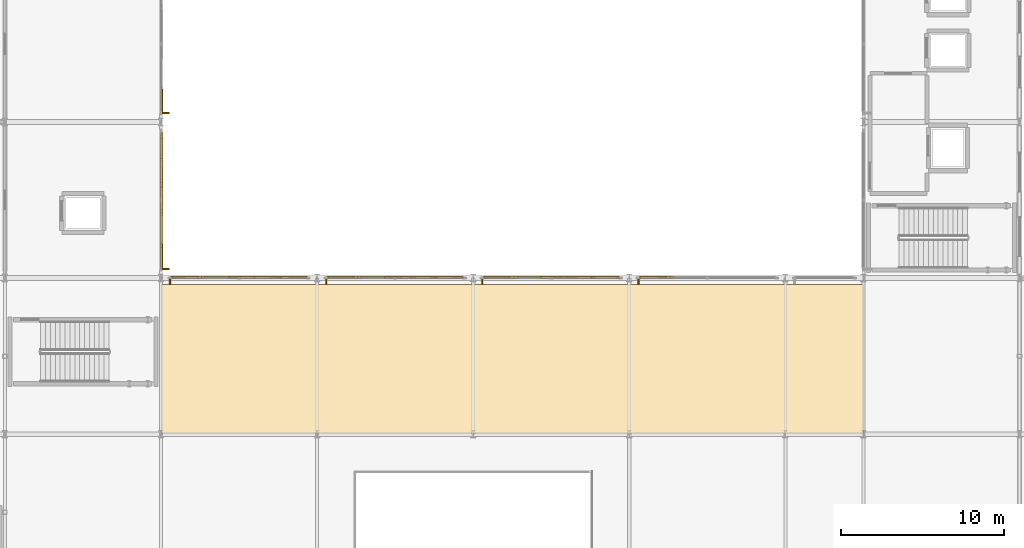
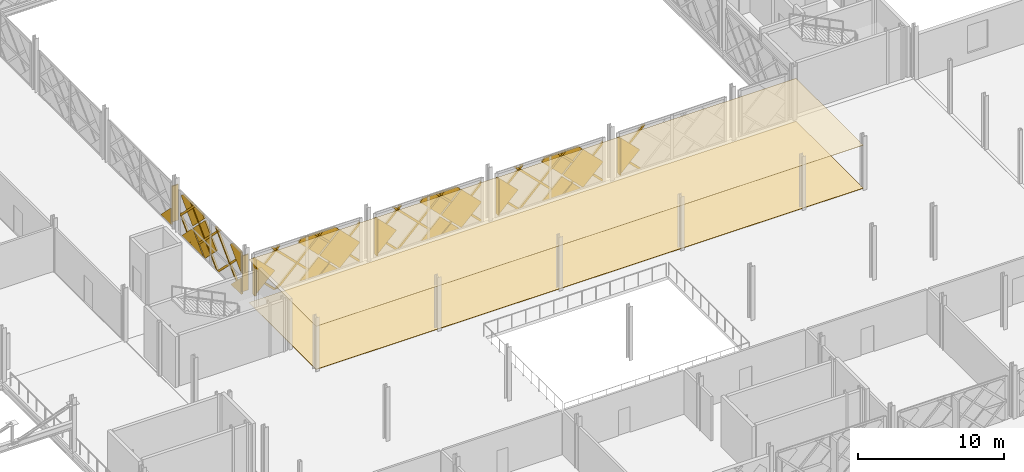
# One storey, part 83 of 101: 47 coverings, 6 shading devices.
"""IFC4 building model written with IfcOpenShell, lengths in metres."""

from ifc_helpers import new_model, si_unit, direction, frame, origin, origin_2d, place, context, subcontext, project, spatial, polyline, rectangle, outline, extrude, material, layer, layer_set, type_object, element, save


model = new_model("IFC4")

# Units and contexts
model_context = context("Model", 3, precision=1e-05, world=origin(), true_north=direction((0.0, 1.0)))
body_context = subcontext(model_context, "Body", "Model", "MODEL_VIEW")
ifc_project = project(units=[si_unit("LENGTHUNIT", "METRE"), si_unit("AREAUNIT", "SQUARE_METRE"), si_unit("VOLUMEUNIT", "CUBIC_METRE"), si_unit("PLANEANGLEUNIT", "RADIAN"), si_unit("MASSUNIT", "GRAM", prefix="KILO")], contexts=[model_context])

# Site, building, storey
site_placement = place(None, origin())
site = spatial("IfcSite", under=ifc_project, at=site_placement, CompositionType="ELEMENT")
building_placement = place(site_placement, origin())
building = spatial("IfcBuilding", under=site, at=building_placement, Name="Zevrakil Square Congress Hotel", CompositionType="ELEMENT")
storey_placement = place(building_placement, frame((0.0, 0.0, 5.39990234375)))
storey = spatial("IfcBuildingStorey", under=building, at=storey_placement, Name="L02", CompositionType="ELEMENT", Elevation=5.39990234375)

# Coverings
ifc_material_1 = material(Name="Acoustic Perforated Timber Ceiling", Category="wood")
ifc_layer_1 = layer(ifc_material_1, 0.02490234375)
ifc_layer_set_1 = layer_set([ifc_layer_1], Name="Acoustic Perforated Timber Ceiling")
covering_type_1 = type_object("IfcCoveringType", Name="COV-CEIL-ACOUSTIC-025", PredefinedType="CEILING", material=ifc_layer_set_1)
covering_1_placement = place(storey_placement, frame((0.0, 0.0, 3.590087890625)))
element("IfcCovering", 1, at=covering_1_placement, inside=storey, type_object=covering_type_1, Name="L02 acoustic perforated timber ceiling 4", PredefinedType="CEILING", context=body_context, shape_type="SweptSolid", body=[
    extrude(outline(polyline([(64.800048828125, 36.0), (108.0, 36.0), (108.0, 45.199951171875), (64.800048828125, 45.199951171875), (64.800048828125, 36.0)])), origin(), (0.0, 0.0, 1.0), 0.02490234375),
])
ifc_material_2 = material(Name="Architectural White Fibre-C GRC", Category="concrete")
ifc_layer_2 = layer(ifc_material_2, 0.06494140625)
ifc_layer_set_2 = layer_set([ifc_layer_2], Name="Architectural White Fibre-C GRC")
covering_type_2 = type_object("IfcCoveringType", Name="COV-DIA-WHITE", PredefinedType="CLADDING", material=ifc_layer_set_2)
covering_2_placement = place(storey_placement, frame((70.52001953125, 45.694091796875, 1.590087890625), z_axis=(0.0, 0.999999790873, 0.000646725815), x_axis=(-0.707106707249, 0.000457304257, -0.707106707249)))
element("IfcCovering", 2, at=covering_2_placement, inside=storey, type_object=covering_type_2, Name="L02 45-degree white GRC diamond facade cassette 1513", PredefinedType="CLADDING", context=body_context, shape_type="SweptSolid", body=[
    extrude(outline(polyline([(0.0, 0.0), (2.1354765131557993, 0.0), (4.465861884739297e-07, -2.1354765131557527), (0.0, 0.0)])), origin(), (0.0, 0.0, -1.0), 0.1201171875),
])
covering_3_placement = place(storey_placement, frame((72.199951171875, 45.693115234375, 3.27001953125), z_axis=(-2.41678e-07, 0.999999856488, 0.000535746722), x_axis=(-0.707106715571, 0.000378659283, -0.707106745415)))
element("IfcCovering", 3, at=covering_3_placement, inside=storey, type_object=covering_type_2, Name="L02 45-degree white GRC diamond facade cassette 1514", PredefinedType="CLADDING", context=body_context, shape_type="SweptSolid", body=[
    extrude(outline(polyline([(0.0, 0.0), (2.248378801899082, 2.220446049250313e-16), (2.248551760168468, -2.248551342862844), (0.013983729045442761, -2.2485514331189314), (-0.00017221654148569243, -2.2343954901628624), (0.0, 0.0)])), origin(), (0.0, 0.0, -1.0), 0.1201171875),
])
covering_4_placement = place(storey_placement, frame((65.47998046875, 45.69482421875, 0.090087890625), z_axis=(-7.1433782e-05, 0.999999852651, 0.000538140348), x_axis=(0.707106743994, -0.000330011407, 0.70710674137)))
element("IfcCovering", 4, at=covering_4_placement, inside=storey, type_object=covering_type_2, Name="L02 45-degree white GRC diamond facade cassette 1515", PredefinedType="CLADDING", context=body_context, shape_type="SweptSolid", body=[
    extrude(outline(polyline([(0.0, 0.0), (2.2487239795431924, 2.220446049250313e-16), (2.2485516641646086, -2.248551438871932), (2.16378862445315, -2.2487240842472933), (-1.5763824273706817e-10, -0.08493566992819268), (0.0, 0.0)])), origin(), (0.0, 0.0, -1.0), 0.1201171875),
])
covering_5_placement = place(storey_placement, frame((68.929931640625, 45.693115234375, 3.360107421875), z_axis=(0.0, 0.999999832181, 0.000579342815), x_axis=(0.707106746172, 0.000409657254, -0.707106697535)))
element("IfcCovering", 5, at=covering_5_placement, inside=storey, type_object=covering_type_2, Name="L02 45-degree white GRC diamond facade cassette 1516", PredefinedType="CLADDING", context=body_context, shape_type="SweptSolid", body=[
    extrude(outline(polyline([(0.0, 0.0), (2.2487239716396576, -2.220446049250313e-16), (2.2487237489345504, -2.248723971639647), (1.9022482605454791, -2.248551391947205), (0.00017254537882177567, -0.3464754884061615), (0.0, 0.0)])), origin(), (0.0, 0.0, -1.0), 0.1201171875),
])
covering_6_placement = place(storey_placement, frame((80.1201171875, 45.694091796875, 1.590087890625), z_axis=(0.0, 0.999999790873, 0.000646725815), x_axis=(-0.707106707249, 0.000457304257, -0.707106707249)))
element("IfcCovering", 6, at=covering_6_placement, inside=storey, type_object=covering_type_2, Name="L02 45-degree white GRC diamond facade cassette 1555", PredefinedType="CLADDING", context=body_context, shape_type="SweptSolid", body=[
    extrude(outline(polyline([(0.0, 0.0), (2.1354765131557993, 0.0), (0.00017308005963778683, -2.1353038796462007), (0.0, 0.0)])), origin(), (0.0, 0.0, -1.0), 0.1201171875),
])
covering_7_placement = place(storey_placement, frame((81.800048828125, 45.693115234375, 3.27001953125), z_axis=(-2.41678e-07, 0.999999856488, 0.000535746981), x_axis=(-0.70716100192, 0.000378630367, -0.707052454916)))
element("IfcCovering", 7, at=covering_7_placement, inside=storey, type_object=covering_type_2, Name="L02 45-degree white GRC diamond facade cassette 1556", PredefinedType="CLADDING", context=body_context, shape_type="SweptSolid", body=[
    extrude(outline(polyline([(0.0, 0.0), (2.2485514420015917, 0.0), (2.2483791200415766, -2.248723969767764), (0.013983742226420182, -2.248379879845779), (-0.00017111649015499886, -2.2342228501026002), (0.0, 0.0)])), origin(), (0.0, 0.0, -1.0), 0.1201171875),
])
covering_8_placement = place(storey_placement, frame((75.080078125, 45.69482421875, 0.090087890625), z_axis=(-7.1443995e-05, 0.99999985265, 0.00053814045), x_axis=(0.707052453479, -0.00033003735, 0.707161027705)))
element("IfcCovering", 8, at=covering_8_placement, inside=storey, type_object=covering_type_2, Name="L02 45-degree white GRC diamond facade cassette 1557", PredefinedType="CLADDING", context=body_context, shape_type="SweptSolid", body=[
    extrude(outline(polyline([(0.0, 0.0), (2.248551352687847, 0.0), (2.2487242910438643, -2.2483787987213666), (2.1639612648369457, -2.2485579518153447), (6.520815304625338e-06, -0.08493566967761251), (0.0, 0.0)])), origin(), (0.0, 0.0, -1.0), 0.1201171875),
])
covering_9_placement = place(storey_placement, frame((78.530029296875, 45.693115234375, 3.360107421875), z_axis=(0.0, 0.999999832177, 0.000579349913), x_axis=(0.707106746172, 0.000409662272, -0.707106697532)))
element("IfcCovering", 9, at=covering_9_placement, inside=storey, type_object=covering_type_2, Name="L02 45-degree white GRC diamond facade cassette 1558", PredefinedType="CLADDING", context=body_context, shape_type="SweptSolid", body=[
    extrude(outline(polyline([(0.0, 0.0), (2.24872397163871, -2.220446049250313e-16), (2.248551115452546, -2.2485513381386504), (1.9022482605459134, -2.2485513919469167), (-8.810449772522766e-08, -0.3463028549066256), (0.0, 0.0)])), origin(), (0.0, 0.0, -1.0), 0.1201171875),
])
covering_10_placement = place(storey_placement, frame((89.719970703125, 45.694091796875, 1.590087890625), z_axis=(0.0, 0.999999790873, 0.000646725815), x_axis=(-0.707106707249, 0.000457304257, -0.707106707249)))
element("IfcCovering", 10, at=covering_10_placement, inside=storey, type_object=covering_type_2, Name="L02 45-degree white GRC diamond facade cassette 1597", PredefinedType="CLADDING", context=body_context, shape_type="SweptSolid", body=[
    extrude(outline(polyline([(0.0, 0.0), (2.1354765131557993, 0.0), (4.465861884739297e-07, -2.1354765131557527), (0.0, 0.0)])), origin(), (0.0, 0.0, -1.0), 0.1201171875),
])
covering_11_placement = place(storey_placement, frame((91.39990234375, 45.693115234375, 3.27001953125), z_axis=(-2.41678e-07, 0.999999856488, 0.000535746722), x_axis=(-0.707106715571, 0.000378659283, -0.707106745415)))
element("IfcCovering", 11, at=covering_11_placement, inside=storey, type_object=covering_type_2, Name="L02 45-degree white GRC diamond facade cassette 1598", PredefinedType="CLADDING", context=body_context, shape_type="SweptSolid", body=[
    extrude(outline(polyline([(0.0, 0.0), (2.248378801899082, 2.220446049250313e-16), (2.248551760168468, -2.248551342862844), (0.013983729045442761, -2.2485514331189314), (-0.00017221654148569243, -2.2343954901628624), (0.0, 0.0)])), origin(), (0.0, 0.0, -1.0), 0.1201171875),
])
covering_12_placement = place(storey_placement, frame((84.679931640625, 45.69482421875, 0.090087890625), z_axis=(-7.1453825e-05, 0.999999852651, 0.000538137651), x_axis=(0.707106743993, -0.000329995328, 0.707106741378)))
element("IfcCovering", 12, at=covering_12_placement, inside=storey, type_object=covering_type_2, Name="L02 45-degree white GRC diamond facade cassette 1599", PredefinedType="CLADDING", context=body_context, shape_type="SweptSolid", body=[
    extrude(outline(polyline([(0.0, 0.0), (2.248723979543348, 2.220446049250313e-16), (2.2485516641645265, -2.2485514388720227), (2.1639612579350396, -2.2485514507480224), (0.00017263332536615605, -0.084763036428044), (0.0, 0.0)])), origin(), (0.0, 0.0, -1.0), 0.1201171875),
])
covering_13_placement = place(storey_placement, frame((88.1298828125, 45.693115234375, 3.360107421875), z_axis=(0.0, 0.999999832181, 0.000579342815), x_axis=(0.707106746172, 0.000409657254, -0.707106697535)))
element("IfcCovering", 13, at=covering_13_placement, inside=storey, type_object=covering_type_2, Name="L02 45-degree white GRC diamond facade cassette 1600", PredefinedType="CLADDING", context=body_context, shape_type="SweptSolid", body=[
    extrude(outline(polyline([(0.0, 0.0), (2.2487239716396576, -2.220446049250313e-16), (2.2487237489345504, -2.248723971639647), (1.9022482605454791, -2.248551391947205), (0.00017254537882177567, -0.3464754884061615), (0.0, 0.0)])), origin(), (0.0, 0.0, -1.0), 0.1201171875),
])
covering_14_placement = place(storey_placement, frame((94.280029296875, 45.69482421875, 0.090087890625), z_axis=(-7.1433782e-05, 0.999999852651, 0.000538140348), x_axis=(0.707106743994, -0.000330011407, 0.70710674137)))
element("IfcCovering", 14, at=covering_14_placement, inside=storey, type_object=covering_type_2, Name="L02 45-degree white GRC diamond facade cassette 1641", PredefinedType="CLADDING", context=body_context, shape_type="SweptSolid", body=[
    extrude(outline(polyline([(0.0, 0.0), (2.2487239795431924, 2.220446049250313e-16), (2.2485516641646086, -2.248551438871932), (2.16378862445315, -2.2487240842472933), (-1.5763824273706817e-10, -0.08493566992819268), (0.0, 0.0)])), origin(), (0.0, 0.0, -1.0), 0.1201171875),
])
covering_15_placement = place(storey_placement, frame((64.89501953125, 47.6298828125, 0.080078125), z_axis=(0.999999760125, 0.0, 0.000692640526), x_axis=(0.0, -1.0, 0.0)))
element("IfcCovering", 15, at=covering_15_placement, inside=storey, type_object=covering_type_2, Name="L02 45-degree white GRC diamond facade cassette 1714", PredefinedType="CLADDING", context=body_context, shape_type="SweptSolid", body=[
    extrude(outline(polyline([(0.0, 0.0), (1.409912109375, 0.0), (1.409912109375, -1.4099124475784228), (0.0, 0.0)])), origin(), (0.0, 0.0, -1.0), 0.1201171875),
])
covering_16_placement = place(storey_placement, frame((64.89404296875, 52.840087890625, 1.590087890625), z_axis=(0.999999790873, 0.0, 0.000646725815), x_axis=(0.000457304257, 0.707106707249, -0.707106707249)))
element("IfcCovering", 16, at=covering_16_placement, inside=storey, type_object=covering_type_2, Name="L02 45-degree white GRC diamond facade cassette 1715", PredefinedType="CLADDING", context=body_context, shape_type="SweptSolid", body=[
    extrude(outline(polyline([(0.0, 0.0), (2.1354765131557993, 0.0), (4.465861884739297e-07, -2.1354765131557527), (0.0, 0.0)])), origin(), (0.0, 0.0, -1.0), 0.1201171875),
])
covering_17_placement = place(storey_placement, frame((64.89306640625, 51.159912109375, 3.27001953125), z_axis=(0.999999811377, 0.0, 0.000614203339), x_axis=(0.000434274042, 0.707161000837, -0.707052424012)))
element("IfcCovering", 17, at=covering_17_placement, inside=storey, type_object=covering_type_2, Name="L02 45-degree white GRC diamond facade cassette 1716", PredefinedType="CLADDING", context=body_context, shape_type="SweptSolid", body=[
    extrude(outline(polyline([(0.0, 0.0), (2.2485514454867683, 0.0), (2.2483792228863573, -2.248724065739994), (-0.0001721960923970478, -2.248378798790573), (0.0, 0.0)])), origin(), (0.0, 0.0, -1.0), 0.1201171875),
])
covering_18_placement = place(storey_placement, frame((64.89306640625, 47.7099609375, 3.360107421875), z_axis=(0.999999808817, -6.6854444e-05, 0.000614732229), x_axis=(0.000387408133, -0.707106741694, -0.707106714553)))
element("IfcCovering", 18, at=covering_18_placement, inside=storey, type_object=covering_type_2, Name="L02 45-degree white GRC diamond facade cassette 1717", PredefinedType="CLADDING", context=body_context, shape_type="SweptSolid", body=[
    extrude(outline(polyline([(0.0, 0.0), (2.1071645228758276, -4.440892098500626e-16), (0.8873360085544126, -1.2198283755844284), (-0.00017272168265564103, -0.33231955017883935), (0.0, 0.0)])), origin(), (0.0, 0.0, -1.0), 0.1201171875),
])
covering_19_placement = place(storey_placement, frame((64.89306640625, 54.429931640625, 3.360107421875), z_axis=(0.999999828983, 0.0, 0.000584837432), x_axis=(0.000413574283, -0.707052455893, -0.70716098137)))
element("IfcCovering", 19, at=covering_19_placement, inside=storey, type_object=covering_type_2, Name="L02 45-degree white GRC diamond facade cassette 1718", PredefinedType="CLADDING", context=body_context, shape_type="SweptSolid", body=[
    extrude(outline(polyline([(0.0, 0.0), (2.248551344033201, -4.440892098500626e-16), (2.2483784760755072, -2.248723964244697), (1.915886299889369, -2.2486984931924137), (-0.000198236343884578, -0.3323195294215008), (0.0, 0.0)])), origin(), (0.0, 0.0, -1.0), 0.1201171875),
])
covering_20_placement = place(storey_placement, frame((64.89501953125, 57.22998046875, 0.080078125), z_axis=(0.999999760125, 0.0, 0.000692640526), x_axis=(0.0, -1.0, 0.0)))
element("IfcCovering", 20, at=covering_20_placement, inside=storey, type_object=covering_type_2, Name="L02 45-degree white GRC diamond facade cassette 1782", PredefinedType="CLADDING", context=body_context, shape_type="SweptSolid", body=[
    extrude(outline(polyline([(0.0, 0.0), (1.409912109375, 0.0), (1.409912109375, -1.4099124475784228), (0.0, 0.0)])), origin(), (0.0, 0.0, -1.0), 0.1201171875),
])
ifc_material_3 = material(Name="Anodised Champagne Aluminium", Category="aluminium")
ifc_layer_3 = layer(ifc_material_3, 0.0849609375)
ifc_layer_set_3 = layer_set([ifc_layer_3], Name="Anodised Champagne Aluminium")
covering_type_3 = type_object("IfcCoveringType", Name="COV-DIAGRID-45", PredefinedType="MOLDING", material=ifc_layer_set_3)
covering_21_placement = place(storey_placement, frame((73.69384765625, 45.719970703125, 0.080078125), z_axis=(-0.000187311957, 0.999999884449, 0.000442737353), x_axis=(0.999999982457, 0.000187311939, 8.293e-08)))
element("IfcCovering", 21, at=covering_21_placement, inside=storey, type_object=covering_type_3, Name="L02 45-degree aluminium diagrid rib 1517", PredefinedType="MOLDING", context=body_context, shape_type="SweptSolid", body=[
    extrude(outline(polyline([(0.0, 0.0), (0.0861816391131254, 2.2812090330563966e-24), (0.08618164958060848, -0.12622069075433734), (-3.312744201763839, -3.524902971092284), (-3.5249024011669716, -3.524902971092284), (0.0, 0.0)])), origin(), (0.0, 0.0, -1.0), 0.14501953125),
])
covering_22_placement = place(storey_placement, frame((70.333984375, 45.719970703125, 0.080078125), z_axis=(0.0, 0.999999805714, 0.000623354914), x_axis=(1.0, 0.0, 0.0)))
element("IfcCovering", 22, at=covering_22_placement, inside=storey, type_object=covering_type_3, Name="L02 45-degree aluminium diagrid rib 1518", PredefinedType="MOLDING", context=body_context, shape_type="SweptSolid", body=[
    extrude(outline(polyline([(0.0, 0.0), (0.212158203125, 0.0), (-3.31298828125, -3.5249030285882292), (-3.525146484375, -3.5249030285882292), (0.0, 0.0)])), origin(), (0.0, 0.0, -1.0), 0.14501953125),
])
covering_23_placement = place(storey_placement, frame((66.973876953125, 45.719970703125, 0.080078125), z_axis=(-0.000294139249, 0.999999913482, 0.000294139249), x_axis=(0.999999956741, 0.000294139237, 8.6518e-08)))
element("IfcCovering", 23, at=covering_23_placement, inside=storey, type_object=covering_type_3, Name="L02 45-degree aluminium diagrid rib 1519", PredefinedType="MOLDING", context=body_context, shape_type="SweptSolid", body=[
    extrude(outline(polyline([(0.0, 0.0), (0.2121581939472589, 0.0), (-1.553955145347468, -1.7661134920951609), (-1.5539551637029505, -1.5539552981479028), (0.0, 0.0)])), origin(), (0.0, 0.0, -1.0), 0.14501953125),
])
covering_24_placement = place(storey_placement, frame((73.780029296875, 45.718017578125, 3.154052734375), z_axis=(0.00030708991, 0.999999905696, 0.00030708991), x_axis=(-9.4304e-08, -0.000307089896, 0.999999952848)))
element("IfcCovering", 24, at=covering_24_placement, inside=storey, type_object=covering_type_3, Name="L02 45-degree aluminium diagrid rib 1520", PredefinedType="MOLDING", context=body_context, shape_type="SweptSolid", body=[
    extrude(outline(polyline([(0.0, 0.0), (0.2121581931212936, 0.0), (-3.0739747543193885, -3.2861332573369064), (-3.073974774326802, -3.0739750642156136), (0.0, 0.0)])), origin(), (0.0, 0.0, -1.0), 0.14501953125),
])
covering_25_placement = place(storey_placement, frame((70.87109375, 45.7177734375, 3.60498046875), z_axis=(0.0, 0.999999805714, 0.000623354914), x_axis=(-1.0, 0.0, 0.0)))
element("IfcCovering", 25, at=covering_25_placement, inside=storey, type_object=covering_type_3, Name="L02 45-degree aluminium diagrid rib 1521", PredefinedType="MOLDING", context=body_context, shape_type="SweptSolid", body=[
    extrude(outline(polyline([(0.0, 0.0), (0.212158203125, 0.0), (3.7373046875, -3.524903028588229), (3.52490234375, -3.524903028588229), (0.0, 0.0)])), origin(), (0.0, 0.0, -1.0), 0.14501953125),
])
covering_26_placement = place(storey_placement, frame((67.510986328125, 45.7177734375, 3.60498046875), z_axis=(0.000307670407, 0.999999905448, 0.000307316763), x_axis=(-0.999999952669, 0.000307670393, 9.4552e-08)))
element("IfcCovering", 26, at=covering_26_placement, inside=storey, type_object=covering_type_3, Name="L02 45-degree aluminium diagrid rib 1522", PredefinedType="MOLDING", context=body_context, shape_type="SweptSolid", body=[
    extrude(outline(polyline([(0.0, 0.0), (0.2121581930834375, 2.8078904387053947e-24), (2.0910645520962157, -1.8786623958037403), (2.0910645320130903, -2.091064729523719), (0.0, 0.0)])), origin(), (0.0, 0.0, -1.0), 0.14501953125),
])
covering_27_placement = place(storey_placement, frame((83.2939453125, 45.719970703125, 0.080078125), z_axis=(-0.000187315855, 0.999999884444, 0.000442746567), x_axis=(0.999999982456, 0.000187315837, 8.2933e-08)))
element("IfcCovering", 27, at=covering_27_placement, inside=storey, type_object=covering_type_3, Name="L02 45-degree aluminium diagrid rib 1559", PredefinedType="MOLDING", context=body_context, shape_type="SweptSolid", body=[
    extrude(outline(polyline([(0.0, 0.0), (0.08593749849234558, 2.274746684520826e-24), (0.08593750896026438, -0.12622069075382242), (-3.312744201757818, -3.5249029710981508), (-3.525146541781513, -3.5249029710981508), (0.0, 0.0)])), origin(), (0.0, 0.0, -1.0), 0.14501953125),
])
covering_28_placement = place(storey_placement, frame((79.933837890625, 45.719970703125, 0.080078125), z_axis=(0.0, 0.999999805714, 0.000623354914), x_axis=(1.0, 0.0, 0.0)))
element("IfcCovering", 28, at=covering_28_placement, inside=storey, type_object=covering_type_3, Name="L02 45-degree aluminium diagrid rib 1560", PredefinedType="MOLDING", context=body_context, shape_type="SweptSolid", body=[
    extrude(outline(polyline([(0.0, 0.0), (0.212158203125, 0.0), (-3.312744140625, -3.5249030285882292), (-3.52490234375, -3.5249030285882292), (0.0, 0.0)])), origin(), (0.0, 0.0, -1.0), 0.14501953125),
])
covering_29_placement = place(storey_placement, frame((76.573974609375, 45.719970703125, 0.080078125), z_axis=(-0.000294139249, 0.999999913482, 0.000294139249), x_axis=(0.999999956741, 0.000294139237, 8.6518e-08)))
element("IfcCovering", 29, at=covering_29_placement, inside=storey, type_object=covering_type_3, Name="L02 45-degree aluminium diagrid rib 1561", PredefinedType="MOLDING", context=body_context, shape_type="SweptSolid", body=[
    extrude(outline(polyline([(0.0, 0.0), (0.2121581939472589, 0.0), (-1.553955145347468, -1.7661134920951609), (-1.5539551637029505, -1.5539552981479028), (0.0, 0.0)])), origin(), (0.0, 0.0, -1.0), 0.14501953125),
])
covering_30_placement = place(storey_placement, frame((83.3798828125, 45.718017578125, 3.154052734375), z_axis=(0.000307101698, 0.999999905689, 0.000307101698), x_axis=(-9.4311e-08, -0.000307101684, 0.999999952844)))
element("IfcCovering", 30, at=covering_30_placement, inside=storey, type_object=covering_type_3, Name="L02 45-degree aluminium diagrid rib 1562", PredefinedType="MOLDING", context=body_context, shape_type="SweptSolid", body=[
    extrude(outline(polyline([(0.0, 0.0), (0.21215819312052556, 2.8078904387053947e-24), (-3.073974754330517, -3.285889116734547), (-3.073974774339466, -3.0737309236140224), (0.0, 0.0)])), origin(), (0.0, 0.0, -1.0), 0.14501953125),
])
covering_31_placement = place(storey_placement, frame((80.47119140625, 45.7177734375, 3.60498046875), z_axis=(0.0, 0.999999805714, 0.000623354914), x_axis=(-1.0, 0.0, 0.0)))
element("IfcCovering", 31, at=covering_31_placement, inside=storey, type_object=covering_type_3, Name="L02 45-degree aluminium diagrid rib 1563", PredefinedType="MOLDING", context=body_context, shape_type="SweptSolid", body=[
    extrude(outline(polyline([(0.0, 0.0), (0.21240234375, 0.0), (3.7373046875, -3.524903028588229), (3.525146484375, -3.524903028588229), (0.0, 0.0)])), origin(), (0.0, 0.0, -1.0), 0.14501953125),
])
covering_32_placement = place(storey_placement, frame((77.111083984375, 45.7177734375, 3.60498046875), z_axis=(0.000307670407, 0.999999905448, 0.000307316763), x_axis=(-0.999999952669, 0.000307670393, 9.4552e-08)))
element("IfcCovering", 32, at=covering_32_placement, inside=storey, type_object=covering_type_3, Name="L02 45-degree aluminium diagrid rib 1564", PredefinedType="MOLDING", context=body_context, shape_type="SweptSolid", body=[
    extrude(outline(polyline([(0.0, 0.0), (0.2121581930834375, 2.8078904387053947e-24), (2.0910645520962157, -1.8786623958037403), (2.0910645320130903, -2.091064729523719), (0.0, 0.0)])), origin(), (0.0, 0.0, -1.0), 0.14501953125),
])
covering_33_placement = place(storey_placement, frame((92.893798828125, 45.719970703125, 0.080078125), z_axis=(-0.000187311957, 0.999999884449, 0.000442737353), x_axis=(0.999999982457, 0.000187311939, 8.293e-08)))
element("IfcCovering", 33, at=covering_33_placement, inside=storey, type_object=covering_type_3, Name="L02 45-degree aluminium diagrid rib 1601", PredefinedType="MOLDING", context=body_context, shape_type="SweptSolid", body=[
    extrude(outline(polyline([(0.0, 0.0), (0.0861816391131254, 2.2812090330563966e-24), (0.08618164958060848, -0.12622069075433734), (-3.312744201763839, -3.524902971092284), (-3.5249024011669716, -3.524902971092284), (0.0, 0.0)])), origin(), (0.0, 0.0, -1.0), 0.14501953125),
])
covering_34_placement = place(storey_placement, frame((89.533935546875, 45.719970703125, 0.080078125), z_axis=(0.0, 0.999999805714, 0.000623354914), x_axis=(1.0, 0.0, 0.0)))
element("IfcCovering", 34, at=covering_34_placement, inside=storey, type_object=covering_type_3, Name="L02 45-degree aluminium diagrid rib 1602", PredefinedType="MOLDING", context=body_context, shape_type="SweptSolid", body=[
    extrude(outline(polyline([(0.0, 0.0), (0.212158203125, 0.0), (-3.312744140625, -3.524903028588229), (-3.525146484375, -3.524903028588229), (0.0, 0.0)])), origin(), (0.0, 0.0, -1.0), 0.14501953125),
])
covering_35_placement = place(storey_placement, frame((86.173828125, 45.719970703125, 0.080078125), z_axis=(-0.000294160881, 0.999999913469, 0.000294160881), x_axis=(0.999999956735, 0.000294160868, 8.6531e-08)))
element("IfcCovering", 35, at=covering_35_placement, inside=storey, type_object=covering_type_3, Name="L02 45-degree aluminium diagrid rib 1603", PredefinedType="MOLDING", context=body_context, shape_type="SweptSolid", body=[
    extrude(outline(polyline([(0.0, 0.0), (0.21215819394590898, 2.8078904387053947e-24), (-1.5537110047217924, -1.7661134921050472), (-1.5537110230799749, -1.5539552981591391), (0.0, 0.0)])), origin(), (0.0, 0.0, -1.0), 0.14501953125),
])
covering_36_placement = place(storey_placement, frame((92.97998046875, 45.718017578125, 3.154052734375), z_axis=(0.00030708991, 0.999999905696, 0.00030708991), x_axis=(-9.4304e-08, -0.000307089896, 0.999999952848)))
element("IfcCovering", 36, at=covering_36_placement, inside=storey, type_object=covering_type_3, Name="L02 45-degree aluminium diagrid rib 1604", PredefinedType="MOLDING", context=body_context, shape_type="SweptSolid", body=[
    extrude(outline(polyline([(0.0, 0.0), (0.2121581931212936, 0.0), (-3.0739747543193885, -3.2861332573369064), (-3.073974774326802, -3.0739750642156136), (0.0, 0.0)])), origin(), (0.0, 0.0, -1.0), 0.14501953125),
])
covering_37_placement = place(storey_placement, frame((90.071044921875, 45.7177734375, 3.60498046875), z_axis=(0.0, 0.999999805714, 0.000623354914), x_axis=(-1.0, 0.0, 0.0)))
element("IfcCovering", 37, at=covering_37_placement, inside=storey, type_object=covering_type_3, Name="L02 45-degree aluminium diagrid rib 1605", PredefinedType="MOLDING", context=body_context, shape_type="SweptSolid", body=[
    extrude(outline(polyline([(0.0, 0.0), (0.212158203125, 0.0), (3.737060546875, -3.5249030285882292), (3.52490234375, -3.5249030285882292), (0.0, 0.0)])), origin(), (0.0, 0.0, -1.0), 0.14501953125),
])
covering_38_placement = place(storey_placement, frame((86.711181640625, 45.7177734375, 3.60498046875), z_axis=(0.000307503046, 0.999999905442, 0.000307503046), x_axis=(-0.999999952721, 0.000307503031, 9.4558e-08)))
element("IfcCovering", 38, at=covering_38_placement, inside=storey, type_object=covering_type_3, Name="L02 45-degree aluminium diagrid rib 1606", PredefinedType="MOLDING", context=body_context, shape_type="SweptSolid", body=[
    extrude(outline(polyline([(0.0, 0.0), (0.21240233370781625, 0.0), (2.0910645519885724, -1.8786623959235544), (2.0910645319042045, -2.09106472963137), (0.0, 0.0)])), origin(), (0.0, 0.0, -1.0), 0.14501953125),
])
covering_39_placement = place(storey_placement, frame((95.77392578125, 45.719970703125, 0.080078125), z_axis=(-0.000294139249, 0.999999913482, 0.000294139249), x_axis=(0.999999956741, 0.000294139237, 8.6518e-08)))
element("IfcCovering", 39, at=covering_39_placement, inside=storey, type_object=covering_type_3, Name="L02 45-degree aluminium diagrid rib 1645", PredefinedType="MOLDING", context=body_context, shape_type="SweptSolid", body=[
    extrude(outline(polyline([(0.0, 0.0), (0.2121581939472589, 0.0), (-1.553955145347468, -1.7661134920951609), (-1.5539551637029505, -1.5539552981479028), (0.0, 0.0)])), origin(), (0.0, 0.0, -1.0), 0.14501953125),
])
covering_40_placement = place(storey_placement, frame((96.31103515625, 45.7177734375, 3.60498046875), z_axis=(0.000307670407, 0.999999905448, 0.000307316763), x_axis=(-0.999999952669, 0.000307670393, 9.4552e-08)))
element("IfcCovering", 40, at=covering_40_placement, inside=storey, type_object=covering_type_3, Name="L02 45-degree aluminium diagrid rib 1648", PredefinedType="MOLDING", context=body_context, shape_type="SweptSolid", body=[
    extrude(outline(polyline([(0.0, 0.0), (0.2121581930834375, 2.8078904387053947e-24), (2.0910645520962157, -1.8786623958037403), (2.0910645320130903, -2.091064729523719), (0.0, 0.0)])), origin(), (0.0, 0.0, -1.0), 0.14501953125),
])
covering_41_placement = place(storey_placement, frame((64.919921875, 46.30615234375, 0.080078125), z_axis=(0.999999883794, 0.000187841865, 0.000443989862), x_axis=(0.000187841846, -0.999999982358, 8.34e-08)))
element("IfcCovering", 41, at=covering_41_placement, inside=storey, type_object=covering_type_3, Name="L02 45-degree aluminium diagrid rib 1719", PredefinedType="MOLDING", context=body_context, shape_type="SweptSolid", body=[
    extrude(outline(polyline([(0.0, 0.0), (0.08618163910455907, 0.0), (0.0861816496313512, -0.12622069068424482), (-3.3027344363086577, -3.515137347849475), (-3.5148926356907024, -3.515137347849475), (0.0, 0.0)])), origin(), (0.0, 0.0, -1.0), 0.14501953125),
])
covering_42_placement = place(storey_placement, frame((64.919921875, 49.666015625, 0.080078125), z_axis=(0.999999804633, 0.0, 0.000625086695), x_axis=(0.0, -1.0, 0.0)))
element("IfcCovering", 42, at=covering_42_placement, inside=storey, type_object=covering_type_3, Name="L02 45-degree aluminium diagrid rib 1720", PredefinedType="MOLDING", context=body_context, shape_type="SweptSolid", body=[
    extrude(outline(polyline([(0.0, 0.0), (0.212158203125, 0.0), (-3.302978515625, -3.5151374054908215), (-3.51513671875, -3.5151374054908215), (0.0, 0.0)])), origin(), (0.0, 0.0, -1.0), 0.14501953125),
])
covering_43_placement = place(storey_placement, frame((64.919921875, 53.026123046875, 0.080078125), z_axis=(0.999999913482, 0.000294139249, 0.000294139249), x_axis=(0.000294139237, -0.999999956741, 8.6518e-08)))
element("IfcCovering", 43, at=covering_43_placement, inside=storey, type_object=covering_type_3, Name="L02 45-degree aluminium diagrid rib 1721", PredefinedType="MOLDING", context=body_context, shape_type="SweptSolid", body=[
    extrude(outline(polyline([(0.0, 0.0), (0.2121581939472589, 0.0), (-1.553955145347468, -1.7661134920951609), (-1.5539551637029505, -1.5539552981479028), (0.0, 0.0)])), origin(), (0.0, 0.0, -1.0), 0.14501953125),
])
covering_44_placement = place(storey_placement, frame((64.918212890625, 46.219970703125, 3.154052734375), z_axis=(0.99999958606, 0.000287477056, 0.000863270454), x_axis=(-0.000863270513, 8.2643e-08, 0.999999627382)))
element("IfcCovering", 44, at=covering_44_placement, inside=storey, type_object=covering_type_3, Name="L02 45-degree aluminium diagrid rib 1722", PredefinedType="MOLDING", context=body_context, shape_type="SweptSolid", body=[
    extrude(outline(polyline([(0.0, 0.0), (0.21215833483042407, 1.3234889800848443e-23), (-3.0739746676964605, -3.286133202330571), (-3.073974685229852, -3.0739750079722734), (0.0, 0.0)])), origin(), (0.0, 0.0, -1.0), 0.14501953125),
])
covering_45_placement = place(storey_placement, frame((64.917724609375, 49.138916015625, 3.59521484375), z_axis=(0.999999804633, 0.0, 0.000625086695), x_axis=(0.0, 1.0, 0.0)))
element("IfcCovering", 45, at=covering_45_placement, inside=storey, type_object=covering_type_3, Name="L02 45-degree aluminium diagrid rib 1723", PredefinedType="MOLDING", context=body_context, shape_type="SweptSolid", body=[
    extrude(outline(polyline([(0.0, 0.0), (0.212158203125, 0.0), (3.727294921875, -3.515137405490821), (3.514892578125, -3.515137405490821), (0.0, 0.0)])), origin(), (0.0, 0.0, -1.0), 0.14501953125),
])
covering_46_placement = place(storey_placement, frame((64.917724609375, 52.498779296875, 3.59521484375), z_axis=(0.999999554156, 0.000234786705, 0.00091463807), x_axis=(-0.000234786606, 0.999999972438, -2.14745e-07)))
element("IfcCovering", 46, at=covering_46_placement, inside=storey, type_object=covering_type_3, Name="L02 45-degree aluminium diagrid rib 1724", PredefinedType="MOLDING", context=body_context, shape_type="SweptSolid", body=[
    extrude(outline(polyline([(0.0, 0.0), (0.21240233789568191, 0.0), (2.0812988854905896, -1.8688968191517372), (2.0812988737819533, -2.081299297358081), (0.0, 0.0)])), origin(), (0.0, 0.0, -1.0), 0.14501953125),
])
ifc_material_4 = material(Name="Honed Addis Basalt Stone Flooring", Category="masonry")
ifc_layer_4 = layer(ifc_material_4, 0.030029296875)
ifc_layer_set_4 = layer_set([ifc_layer_4], Name="Honed Addis Basalt Stone Flooring")
covering_type_4 = type_object("IfcCoveringType", Name="COV-FLOR-BASALT-030", PredefinedType="FLOORING", material=ifc_layer_set_4)
covering_47_placement = place(storey_placement, origin())
element("IfcCovering", 47, at=covering_47_placement, inside=storey, type_object=covering_type_4, Name="L02 honed basalt stone flooring 4", PredefinedType="FLOORING", context=body_context, shape_type="SweptSolid", body=[
    extrude(outline(polyline([(64.800048828125, 36.0), (108.0, 36.0), (108.0, 45.199951171875), (64.800048828125, 45.199951171875), (64.800048828125, 36.0)])), origin(), (0.0, 0.0, 1.0), 0.030029296875),
])

# Shading devices
ifc_material_5 = material(Name="Aluminium Anodised Bronze", Category="aluminium")
shading_device_type_1 = type_object("IfcShadingDeviceType", Name="SHD-FIN-35", PredefinedType="JALOUSIE", material=ifc_material_5)
for number, where, z_axis, x_axis, name in (
    (48, (65.360107421875, 45.405029296875, 0.342529296875), (0.0, 0.0, 1.0), (0.0, -1.0, 0.0), "L02 aluminium solar shading fin 68"),
    (49, (74.9599609375, 45.405029296875, 0.342529296875), (0.0, 0.0, 1.0), (0.0, -1.0, 0.0), "L02 aluminium solar shading fin 72"),
    (50, (84.56005859375, 45.405029296875, 0.342529296875), (0.0, 0.0, 1.0), (0.0, -1.0, 0.0), "L02 aluminium solar shading fin 76"),
    (51, (94.159912109375, 45.405029296875, 0.342529296875), (0.0, 0.0, 1.0), (0.0, -1.0, 0.0), "L02 aluminium solar shading fin 80"),
):
    element("IfcShadingDevice", number, at=place(storey_placement, frame(where, z_axis=z_axis, x_axis=x_axis)), inside=storey, type_object=shading_device_type_1, Name=name, PredefinedType="JALOUSIE", context=body_context, shape_type="SweptSolid", body=[
        extrude(rectangle(XDim=0.35009765625, YDim=0.080078125, at=origin_2d()), origin(), (0.0, 0.0, 1.0), 3.0),
    ])
ifc_material_6 = material(Name="Aluminium Anodised Bronze", Category="aluminium")
shading_device_type_2 = type_object("IfcShadingDeviceType", Name="SHD-FIN-50", PredefinedType="JALOUSIE", material=ifc_material_6)
for number, where, z_axis, x_axis, name in (
    (52, (65.070068359375, 46.159912109375, 0.337646484375), (0.0, 0.0, 1.0), (1.0, 0.0, 0.0), "L02 aluminium solar shading fin 89"),
    (53, (65.070068359375, 55.760009765625, 0.337646484375), (0.0, 0.0, 1.0), (1.0, 0.0, 0.0), "L02 aluminium solar shading fin 95"),
):
    element("IfcShadingDevice", number, at=place(storey_placement, frame(where, z_axis=z_axis, x_axis=x_axis)), inside=storey, type_object=shading_device_type_2, Name=name, PredefinedType="JALOUSIE", context=body_context, shape_type="SweptSolid", body=[
        extrude(rectangle(XDim=0.5, YDim=0.080078125, at=origin_2d()), origin(), (0.0, 0.0, 1.0), 3.0),
    ])

save(model, "model.ifc")
